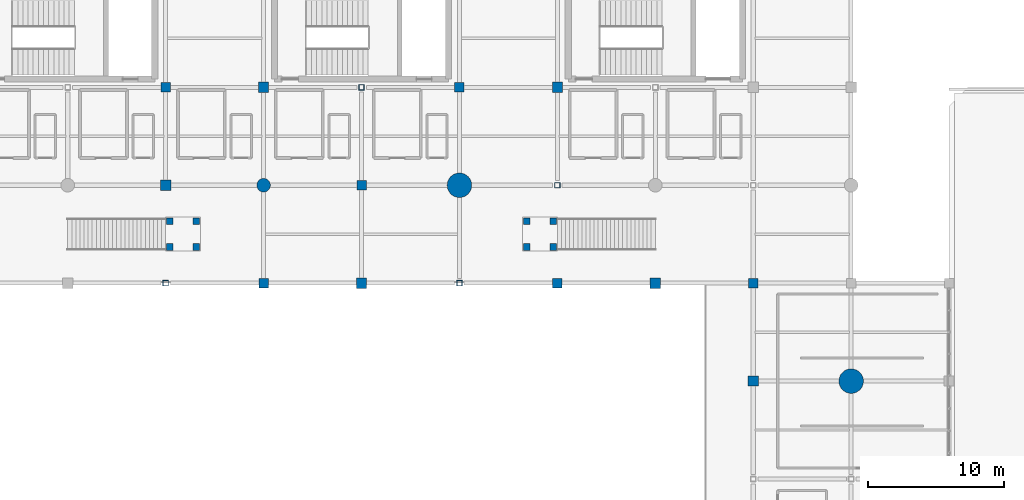
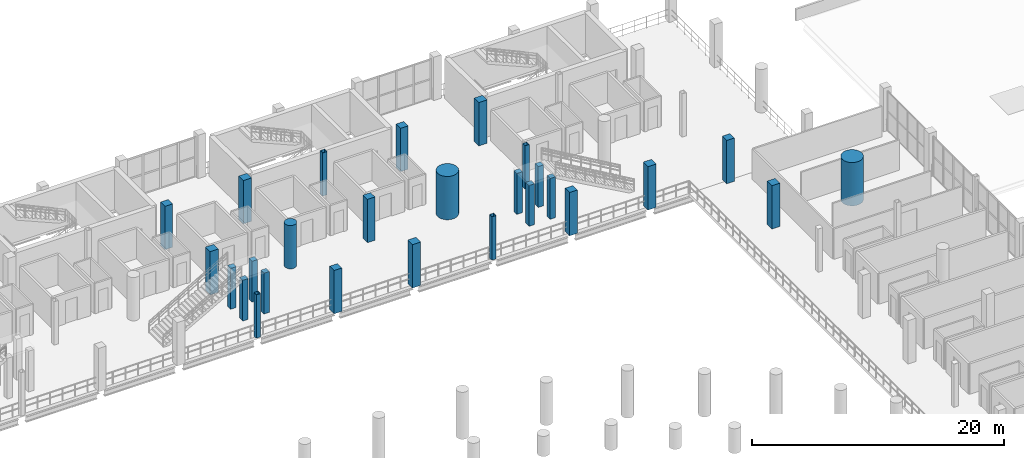
# One storey, part 13 of 130: 27 columns.
"""IFC4 building model written with IfcOpenShell, lengths in metres."""

from ifc_helpers import new_model, si_unit, direction, frame, origin, origin_2d, place, context, subcontext, project, spatial, rectangle, hollow_rectangle, circle, extrude, material, material_profile, profile_set, type_object, element, save


model = new_model("IFC4")

# Units and contexts
model_context = context("Model", 3, precision=1e-05, world=origin(), true_north=direction((0.0, 1.0)))
body_context = subcontext(model_context, "Body", "Model", "MODEL_VIEW")
ifc_project = project(units=[si_unit("LENGTHUNIT", "METRE"), si_unit("AREAUNIT", "SQUARE_METRE"), si_unit("VOLUMEUNIT", "CUBIC_METRE"), si_unit("PLANEANGLEUNIT", "RADIAN"), si_unit("MASSUNIT", "GRAM", prefix="KILO")], contexts=[model_context])

# Site, building, storey
site_placement = place(None, origin())
site = spatial("IfcSite", under=ifc_project, at=site_placement, CompositionType="ELEMENT")
building_placement = place(site_placement, origin())
building = spatial("IfcBuilding", under=site, at=building_placement, Name="Qandorah Velis Arena", CompositionType="ELEMENT")
storey_placement = place(building_placement, frame((0.0, 0.0, 9.60009765625)))
storey = spatial("IfcBuildingStorey", under=building, at=storey_placement, Name="L02", CompositionType="ELEMENT", Elevation=9.60009765625)

# Columns
ifc_material_1 = material(Name="Concrete C50/60", Category="concrete")
ifc_material_profile_1 = material_profile(ifc_material_1, circle(Radius=0.89990234375, at=origin_2d()), Name="MC D1800")
ifc_profile_set_1 = profile_set([ifc_material_profile_1], Name="Concrete C50/60")
column_type_1 = type_object("IfcColumnType", Name="STR-COL-MC1800", PredefinedType="COLUMN", material=ifc_profile_set_1)
for number, where, z_axis, x_axis, name in (
    (1, (86.39990234375, 115.199951171875, 0.0), (0.0, 0.0, 1.0), (1.0, 0.0, 0.0), "Mega column MC7 (L02)"),
    (2, (115.199951171875, 100.800048828125, 0.0), (0.0, 0.0, 1.0), (1.0, 0.0, 0.0), "Mega column MC10 (L02)"),
):
    element("IfcColumn", number, at=place(storey_placement, frame(where, z_axis=z_axis, x_axis=x_axis)), inside=storey, type_object=column_type_1, Name=name, PredefinedType="COLUMN", context=body_context, shape_type="SweptSolid", body=[
        extrude(circle(Radius=0.89990234375, at=origin_2d()), origin(), (0.0, 0.0, 1.0), 4.199951171875),
    ])
ifc_material_2 = material(Name="Concrete C40/50", Category="concrete")
ifc_material_profile_2 = material_profile(ifc_material_2, rectangle(XDim=0.5, YDim=0.5, at=origin_2d()), Name="RC COL 500x500")
ifc_profile_set_2 = profile_set([ifc_material_profile_2], Name="Concrete C40/50")
column_type_2 = type_object("IfcColumnType", Name="STR-COL-RC500", PredefinedType="COLUMN", material=ifc_profile_set_2)
for number, where, z_axis, x_axis, name in (
    (3, (65.10009765625, 110.64990234375, 0.0), (0.0, 0.0, 1.0), (1.0, 0.0, 0.0), "Vomitory VS13 L02 landing column 1"),
    (4, (67.050048828125, 110.64990234375, 0.0), (0.0, 0.0, 1.0), (1.0, 0.0, 0.0), "Vomitory VS13 L02 landing column 2"),
    (5, (65.10009765625, 112.550048828125, 0.0), (0.0, 0.0, 1.0), (1.0, 0.0, 0.0), "Vomitory VS13 L02 landing column 3"),
    (6, (67.050048828125, 112.550048828125, 0.0), (0.0, 0.0, 1.0), (1.0, 0.0, 0.0), "Vomitory VS13 L02 landing column 4"),
    (7, (91.35009765625, 110.64990234375, 0.0), (0.0, 0.0, 1.0), (1.0, 0.0, 0.0), "Vomitory VS14 L02 landing column 1"),
    (8, (93.300048828125, 110.64990234375, 0.0), (0.0, 0.0, 1.0), (1.0, 0.0, 0.0), "Vomitory VS14 L02 landing column 2"),
    (9, (91.35009765625, 112.550048828125, 0.0), (0.0, 0.0, 1.0), (1.0, 0.0, 0.0), "Vomitory VS14 L02 landing column 3"),
    (10, (93.300048828125, 112.550048828125, 0.0), (0.0, 0.0, 1.0), (1.0, 0.0, 0.0), "Vomitory VS14 L02 landing column 4"),
):
    element("IfcColumn", number, at=place(storey_placement, frame(where, z_axis=z_axis, x_axis=x_axis)), inside=storey, type_object=column_type_2, Name=name, PredefinedType="COLUMN", context=body_context, shape_type="SweptSolid", body=[
        extrude(rectangle(XDim=0.5, YDim=0.5, at=origin_2d()), origin(), (0.0, 0.0, 1.0), 3.9599609375),
    ])
ifc_material_profile_3 = material_profile(ifc_material_2, rectangle(XDim=0.699951171875, YDim=0.699951171875, at=origin_2d()), Name="RC COL 700x700")
ifc_profile_set_3 = profile_set([ifc_material_profile_3], Name="Concrete C40/50")
column_type_3 = type_object("IfcColumnType", Name="STR-COL-RC700", PredefinedType="COLUMN", material=ifc_profile_set_3)
for number, where, z_axis, x_axis, name in (
    (11, (64.800048828125, 122.39990234375, 0.0), (0.0, 0.0, 1.0), (1.0, 0.0, 0.0), "Structural column L02-106"),
    (12, (72.0, 108.0, 0.0), (0.0, 0.0, 1.0), (1.0, 0.0, 0.0), "Structural column L02-112"),
    (13, (79.199951171875, 115.199951171875, 0.0), (0.0, 0.0, 1.0), (1.0, 0.0, 0.0), "Structural column L02-121"),
    (14, (86.39990234375, 122.39990234375, 0.0), (0.0, 0.0, 1.0), (1.0, 0.0, 0.0), "Structural column L02-130"),
    (15, (93.60009765625, 108.0, 0.0), (0.0, 0.0, 1.0), (1.0, 0.0, 0.0), "Structural column L02-136"),
    (16, (108.0, 108.0, 0.0), (0.0, 0.0, 1.0), (1.0, 0.0, 0.0), "Structural column L02-163"),
):
    element("IfcColumn", number, at=place(storey_placement, frame(where, z_axis=z_axis, x_axis=x_axis)), inside=storey, type_object=column_type_3, Name=name, PredefinedType="COLUMN", context=body_context, shape_type="SweptSolid", body=[
        extrude(rectangle(XDim=0.699951171875, YDim=0.699951171875, at=origin_2d()), origin(), (0.0, 0.0, 1.0), 4.199951171875),
    ])
ifc_material_profile_4 = material_profile(ifc_material_2, rectangle(XDim=0.75, YDim=0.75, at=origin_2d()), Name="RC COL 750x750")
ifc_profile_set_4 = profile_set([ifc_material_profile_4], Name="Concrete C40/50")
column_type_4 = type_object("IfcColumnType", Name="STR-COL-RC750", PredefinedType="COLUMN", material=ifc_profile_set_4)
for number, where, z_axis, x_axis, name in (
    (17, (64.800048828125, 115.199951171875, 0.0), (0.0, 0.0, 1.0), (1.0, 0.0, 0.0), "Structural column L02-105"),
    (18, (72.0, 122.39990234375, 0.0), (0.0, 0.0, 1.0), (1.0, 0.0, 0.0), "Structural column L02-114"),
    (19, (79.199951171875, 108.0, 0.0), (0.0, 0.0, 1.0), (1.0, 0.0, 0.0), "Structural column L02-120"),
    (20, (93.60009765625, 122.39990234375, 0.0), (0.0, 0.0, 1.0), (1.0, 0.0, 0.0), "Structural column L02-138"),
    (21, (100.800048828125, 108.0, 0.0), (0.0, 0.0, 1.0), (1.0, 0.0, 0.0), "Structural column L02-144"),
    (22, (108.0, 100.800048828125, 0.0), (0.0, 0.0, 1.0), (1.0, 0.0, 0.0), "Structural column L02-162"),
):
    element("IfcColumn", number, at=place(storey_placement, frame(where, z_axis=z_axis, x_axis=x_axis)), inside=storey, type_object=column_type_4, Name=name, PredefinedType="COLUMN", context=body_context, shape_type="SweptSolid", body=[
        extrude(rectangle(XDim=0.75, YDim=0.75, at=origin_2d()), origin(), (0.0, 0.0, 1.0), 4.199951171875),
    ])
ifc_material_profile_5 = material_profile(ifc_material_2, circle(Radius=0.5, at=origin_2d()), Name="RC D1000")
ifc_profile_set_5 = profile_set([ifc_material_profile_5], Name="Concrete C40/50")
column_type_5 = type_object("IfcColumnType", Name="STR-COL-RCD1000", PredefinedType="COLUMN", material=ifc_profile_set_5)
column_placement = place(storey_placement, frame((72.0, 115.199951171875, 0.0), z_axis=(0.0, 0.0, 1.0), x_axis=(1.0, 0.0, 0.0)))
element("IfcColumn", 23, at=column_placement, inside=storey, type_object=column_type_5, Name="Bowl drum ring column L02-113", PredefinedType="COLUMN", context=body_context, shape_type="SweptSolid", body=[
    extrude(circle(Radius=0.5, at=origin_2d()), origin(), (0.0, 0.0, 1.0), 4.199951171875),
])
ifc_material_3 = material(Name="Steel S355", Category="steel")
ifc_material_profile_6 = material_profile(ifc_material_3, hollow_rectangle(XDim=0.39990234375, YDim=0.39990234375, WallThickness=0.02001953125, at=origin_2d()), Name="SHS 400x400x20")
ifc_profile_set_6 = profile_set([ifc_material_profile_6], Name="Steel S355")
column_type_6 = type_object("IfcColumnType", Name="STR-COL-SHS400", PredefinedType="COLUMN", material=ifc_profile_set_6)
for number, where, z_axis, x_axis, name in (
    (24, (64.800048828125, 108.0, 0.0), (0.0, 0.0, 1.0), (1.0, 0.0, 0.0), "Structural column L02-104"),
    (25, (79.199951171875, 122.39990234375, 0.0), (0.0, 0.0, 1.0), (1.0, 0.0, 0.0), "Structural column L02-122"),
    (26, (86.39990234375, 108.0, 0.0), (0.0, 0.0, 1.0), (1.0, 0.0, 0.0), "Structural column L02-128"),
    (27, (93.60009765625, 115.199951171875, 0.0), (0.0, 0.0, 1.0), (1.0, 0.0, 0.0), "Structural column L02-137"),
):
    element("IfcColumn", number, at=place(storey_placement, frame(where, z_axis=z_axis, x_axis=x_axis)), inside=storey, type_object=column_type_6, Name=name, PredefinedType="COLUMN", context=body_context, shape_type="SweptSolid", body=[
        extrude(hollow_rectangle(XDim=0.39990234375, YDim=0.39990234375, WallThickness=0.02001953125, at=origin_2d()), origin(), (0.0, 0.0, 1.0), 4.199951171875),
    ])

save(model, "model.ifc")
